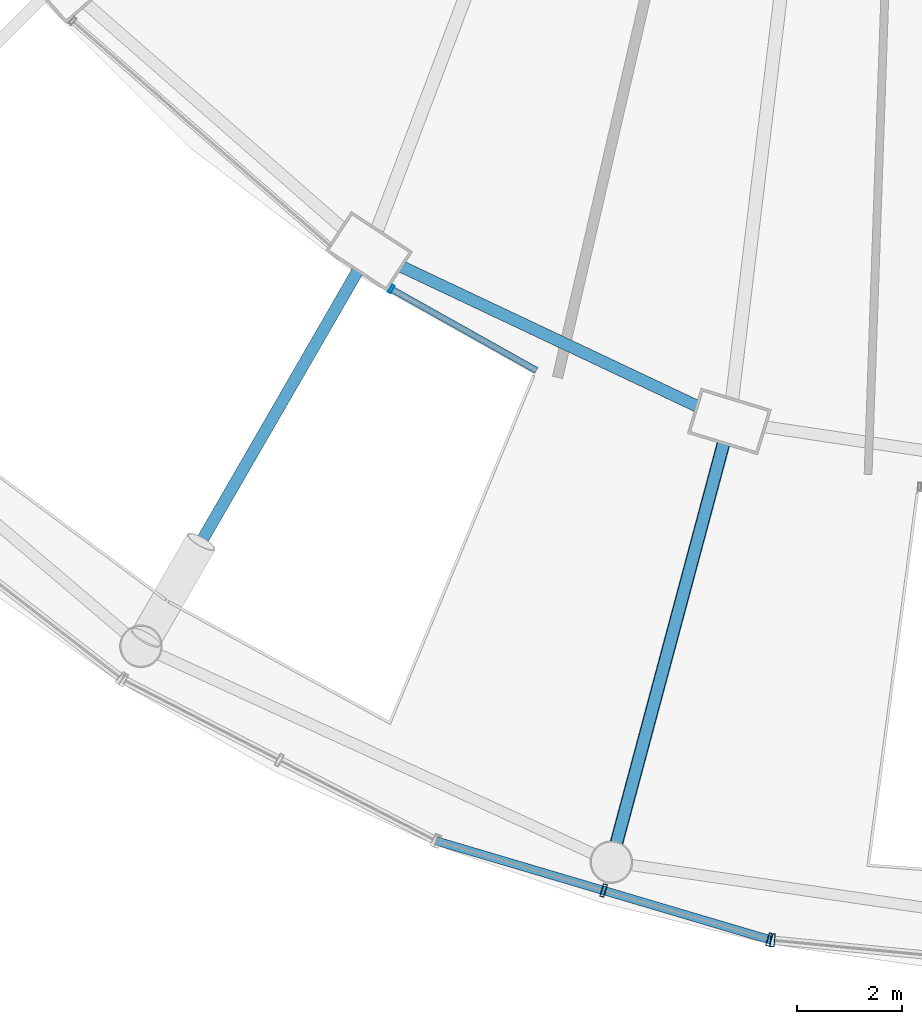
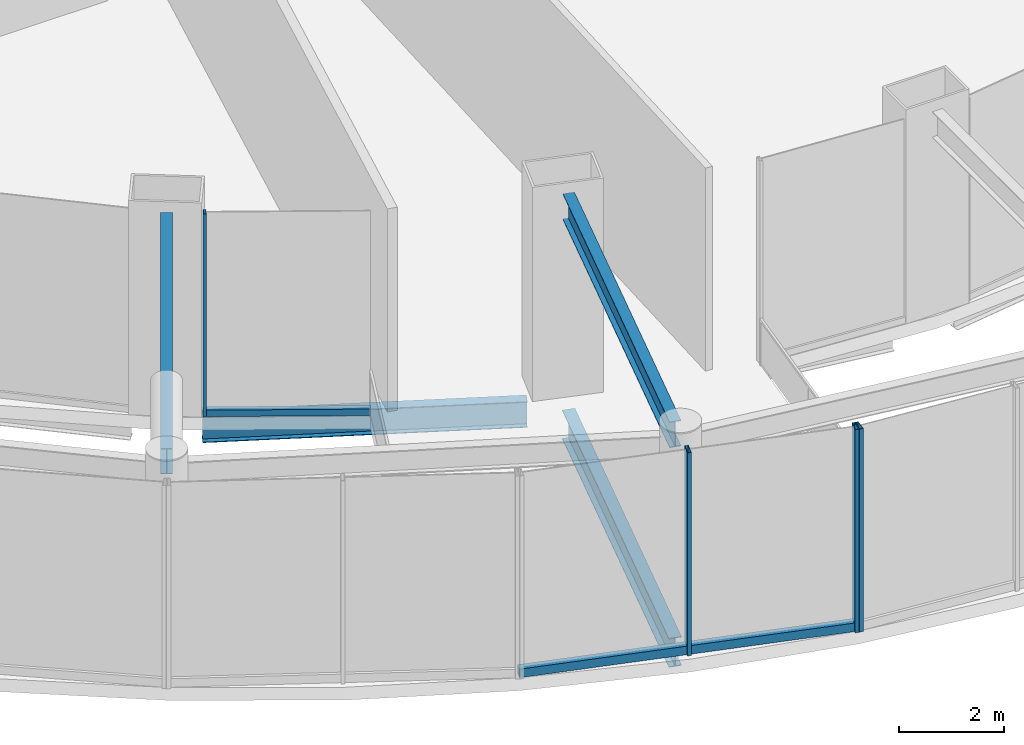
# One storey, part 4 of 52: 6 members, 4 beams, 3 elements without a shape of their own.
"""IFC4 building model written with IfcOpenShell, lengths in metres."""

from ifc_helpers import new_model, si_unit, direction, frame, origin, origin_2d, place, context, subcontext, project, spatial, hollow_rectangle, i_section, extrude, material, layer, layer_set, material_profile, profile_set, type_object, element, aggregate, save


model = new_model("IFC4")

# Units and contexts
model_context = context("Model", 3, precision=1e-05, world=origin(), true_north=direction((0.0, 1.0)))
body_context = subcontext(model_context, "Body", "Model", "MODEL_VIEW")
ifc_project = project(units=[si_unit("LENGTHUNIT", "METRE"), si_unit("AREAUNIT", "SQUARE_METRE"), si_unit("VOLUMEUNIT", "CUBIC_METRE"), si_unit("PLANEANGLEUNIT", "RADIAN"), si_unit("MASSUNIT", "GRAM", prefix="KILO")], contexts=[model_context])

# Site, building, storey
site_placement = place(None, origin())
site = spatial("IfcSite", under=ifc_project, at=site_placement, CompositionType="ELEMENT")
building_placement = place(site_placement, origin())
building = spatial("IfcBuilding", under=site, at=building_placement, Name="Nagisa Residences", CompositionType="ELEMENT")
storey_placement = place(building_placement, frame((0.0, 0.0, 22.0)))
storey = spatial("IfcBuildingStorey", under=building, at=storey_placement, Name="L04", CompositionType="ELEMENT", Elevation=22.0)

# Beams
ifc_material_1 = material(Name="Steel ASTM A572 Gr 50", Category="steel")
ifc_material_profile_1 = material_profile(ifc_material_1, i_section(OverallWidth=0.2529296875, OverallDepth=0.677978515625, WebThickness=0.01171875, FlangeThickness=0.016357421875, at=origin_2d()), Name="W690x125")
ifc_profile_set_1 = profile_set([ifc_material_profile_1], Name="Steel ASTM A572 Gr 50")
beam_type_1 = type_object("IfcBeamType", Name="Atrium bridge beam W690x125", PredefinedType="BEAM", material=ifc_profile_set_1)
beam_1_placement = place(storey_placement, frame((-3.8876953125, -31.80810546875, -0.638916015625), z_axis=(-0.258809356376, -0.965928422324, 0.0), x_axis=(0.965928422324, -0.258809356376, 0.0)))
element("IfcBeam", 1, at=beam_1_placement, inside=storey, type_object=beam_type_1, Name="beam:L04:br18", PredefinedType="BEAM", context=body_context, shape_type="SweptSolid", body=[
    extrude(i_section(OverallWidth=0.2529296875, OverallDepth=0.677978515625, WebThickness=0.01171875, FlangeThickness=0.016357421875, at=origin_2d()), origin(), (0.0, 0.0, 1.0), 7.88330078125),
])
ifc_material_2 = material(Name="Steel ASTM A572 Gr 50", Category="steel")
ifc_material_profile_2 = material_profile(ifc_material_2, i_section(OverallWidth=0.22802734375, OverallDepth=0.60302734375, WebThickness=0.010498046875, FlangeThickness=0.014892578125, at=origin_2d()), Name="W610x101")
ifc_profile_set_2 = profile_set([ifc_material_profile_2], Name="Steel ASTM A572 Gr 50")
beam_type_2 = type_object("IfcBeamType", Name="Atrium roof beam W610x101", PredefinedType="BEAM", material=ifc_profile_set_2)
beam_2_placement = place(storey_placement, frame((-10.865478515625, -28.518798828125, 4.448486328125), z_axis=(-0.499979831865, -0.86603704755, 0.0), x_axis=(0.86603704755, -0.499979831865, 0.0)))
element("IfcBeam", 2, at=beam_2_placement, inside=storey, type_object=beam_type_2, Name="beam:L04:rer17", PredefinedType="BEAM", context=body_context, shape_type="SweptSolid", body=[
    extrude(i_section(OverallWidth=0.22802734375, OverallDepth=0.60302734375, WebThickness=0.010498046875, FlangeThickness=0.014892578125, at=origin_2d()), origin(), (0.0, 0.0, 1.0), 7.882568359375),
])
beam_3_placement = place(storey_placement, frame((-3.8876953125, -31.80810546875, 4.448486328125), z_axis=(-0.258809356376, -0.965928422324, 0.0), x_axis=(0.965928422324, -0.258809356376, 0.0)))
element("IfcBeam", 3, at=beam_3_placement, inside=storey, type_object=beam_type_2, Name="beam:L04:rer18", PredefinedType="BEAM", context=body_context, shape_type="SweptSolid", body=[
    extrude(i_section(OverallWidth=0.22802734375, OverallDepth=0.60302734375, WebThickness=0.010498046875, FlangeThickness=0.014892578125, at=origin_2d()), origin(), (0.0, 0.0, 1.0), 7.88330078125),
])

# Curtain wall, members
ifc_material_3 = material(Name="Stainless steel curtain wall system", Category="steel")
ifc_layer_1 = layer(ifc_material_3, 0.159912109375)
ifc_layer_set_1 = layer_set([ifc_layer_1], Name="CW3 CURTAIN WALL")
curtain_wall_type_1 = type_object("IfcCurtainWallType", Name="CW3 CURTAIN WALL", PredefinedType="NOTDEFINED", material=ifc_layer_set_1)
curtain_wall_1_placement = place(storey_placement, origin())
curtain_wall_1 = element("IfcCurtainWall", 4, at=curtain_wall_1_placement, inside=storey, type_object=curtain_wall_type_1, Name="cw:CW3:L04:25", PredefinedType="NOTDEFINED")
ifc_material_4 = material(Name="Stainless steel", Category="steel")
ifc_material_profile_3 = material_profile(ifc_material_4, hollow_rectangle(XDim=0.25, YDim=0.080078125, WallThickness=0.008056640625, at=origin_2d()), Name="CW3 MULLION 250x80")
ifc_profile_set_3 = profile_set([ifc_material_profile_3], Name="Stainless steel")
member_type_1 = type_object("IfcMemberType", Name="CW3 MULLION 250x80", PredefinedType="MULLION", material=ifc_profile_set_3)
member_1_placement = place(storey_placement, frame((-6.175048828125, -40.337890625, 0.0), z_axis=(0.0, 0.0, 1.0), x_axis=(0.283963226669, 0.958835171393, 0.0)))
member_1 = element("IfcMember", 5, at=member_1_placement, type_object=member_type_1, Name="CW3 mullion", PredefinedType="MULLION", context=body_context, shape_type="SweptSolid", body=[
    extrude(hollow_rectangle(XDim=0.25, YDim=0.080078125, WallThickness=0.008056640625, at=origin_2d()), origin(), (0.0, 0.0, 1.0), 4.739990234375),
])
member_2_placement = place(storey_placement, frame((-3.01416015625, -41.27392578125, 0.0), z_axis=(0.0, 0.0, 1.0), x_axis=(0.283963226669, 0.958835171393, 0.0)))
member_2 = element("IfcMember", 6, at=member_2_placement, type_object=member_type_1, Name="CW3 mullion", PredefinedType="MULLION", context=body_context, shape_type="SweptSolid", body=[
    extrude(hollow_rectangle(XDim=0.25, YDim=0.080078125, WallThickness=0.008056640625, at=origin_2d()), origin(), (0.0, 0.0, 1.0), 4.739990234375),
])

# Curtain wall, member
curtain_wall_2_placement = place(storey_placement, origin())
curtain_wall_2 = element("IfcCurtainWall", 7, at=curtain_wall_2_placement, inside=storey, type_object=curtain_wall_type_1, Name="cw:CW3:L04:26", PredefinedType="NOTDEFINED")
member_3_placement = place(storey_placement, frame((-2.951171875, -41.2861328125, 0.0), z_axis=(0.0, 0.0, 1.0), x_axis=(0.096249055035, 0.995357282289, 0.0)))
member_3 = element("IfcMember", 8, at=member_3_placement, type_object=member_type_1, Name="CW3 mullion", PredefinedType="MULLION", context=body_context, shape_type="SweptSolid", body=[
    extrude(hollow_rectangle(XDim=0.25, YDim=0.080078125, WallThickness=0.008056640625, at=origin_2d()), origin(), (0.0, 0.0, 1.0), 4.739990234375),
])
aggregate(curtain_wall_2, [member_3])

# Member
ifc_material_5 = material(Name="Stainless steel", Category="steel")
ifc_material_profile_4 = material_profile(ifc_material_5, hollow_rectangle(XDim=0.159912109375, YDim=0.199951171875, WallThickness=0.008056640625, at=origin_2d()), Name="CW3 TRANSOM 160x200")
ifc_profile_set_4 = profile_set([ifc_material_profile_4], Name="Stainless steel")
member_type_2 = type_object("IfcMemberType", Name="CW3 TRANSOM 160x200", PredefinedType="USERDEFINED", material=ifc_profile_set_4)
member_4_placement = place(storey_placement, frame((-9.3740234375, -39.390380859375, 0.10009765625), z_axis=(0.958838335071, -0.283952543919, 0.0), x_axis=(0.283952543919, 0.958838335071, 0.0)))
member_4 = element("IfcMember", 9, at=member_4_placement, type_object=member_type_2, Name="CW3 transom", ObjectType="TRANSOM", PredefinedType="USERDEFINED", context=body_context, shape_type="SweptSolid", body=[
    extrude(hollow_rectangle(XDim=0.159912109375, YDim=0.199951171875, WallThickness=0.008056640625, at=origin_2d()), origin(), (0.0, 0.0, 1.0), 6.6728515625),
])

aggregate(curtain_wall_1, [member_1, member_2, member_4])

# Curtain wall, members
ifc_material_6 = material(Name="Stainless steel curtain wall system", Category="steel")
ifc_layer_2 = layer(ifc_material_6, 0.159912109375)
ifc_layer_set_2 = layer_set([ifc_layer_2], Name="CW6 CURTAIN WALL")
curtain_wall_type_2 = type_object("IfcCurtainWallType", Name="CW6 CURTAIN WALL", PredefinedType="NOTDEFINED", material=ifc_layer_set_2)
curtain_wall_3_placement = place(storey_placement, origin())
curtain_wall_3 = element("IfcCurtainWall", 10, at=curtain_wall_3_placement, inside=storey, type_object=curtain_wall_type_2, Name="cw:CW6:L04:32", PredefinedType="NOTDEFINED")
ifc_material_7 = material(Name="Stainless steel", Category="steel")
ifc_material_profile_5 = material_profile(ifc_material_7, hollow_rectangle(XDim=0.159912109375, YDim=0.06005859375, WallThickness=0.006103515625, at=origin_2d()), Name="CW6 MULLION 160x60")
ifc_profile_set_5 = profile_set([ifc_material_profile_5], Name="Stainless steel")
member_type_3 = type_object("IfcMemberType", Name="CW6 MULLION 160x60", PredefinedType="MULLION", material=ifc_profile_set_5)
member_5_placement = place(storey_placement, frame((-10.22412109375, -28.8662109375, 0.0), z_axis=(0.0, 0.0, 1.0), x_axis=(0.489376918501, 0.872072377523, 0.0)))
member_5 = element("IfcMember", 11, at=member_5_placement, type_object=member_type_3, Name="CW6 mullion", PredefinedType="MULLION", context=body_context, shape_type="SweptSolid", body=[
    extrude(hollow_rectangle(XDim=0.159912109375, YDim=0.06005859375, WallThickness=0.006103515625, at=origin_2d()), origin(), (0.0, 0.0, 1.0), 4.739990234375),
])
ifc_material_8 = material(Name="Stainless steel", Category="steel")
ifc_material_profile_6 = material_profile(ifc_material_8, hollow_rectangle(XDim=0.1201171875, YDim=0.14990234375, WallThickness=0.008056640625, at=origin_2d()), Name="CW6 TRANSOM 120x150")
ifc_profile_set_6 = profile_set([ifc_material_profile_6], Name="Stainless steel")
member_type_4 = type_object("IfcMemberType", Name="CW6 TRANSOM 120x150", PredefinedType="USERDEFINED", material=ifc_profile_set_6)
member_6_placement = place(storey_placement, frame((-10.25048828125, -28.8515625, 0.074951171875), z_axis=(0.872070011948, -0.489381133946, 0.0), x_axis=(0.489381133946, 0.872070011948, 0.0)))
member_6 = element("IfcMember", 12, at=member_6_placement, type_object=member_type_4, Name="CW6 transom", ObjectType="TRANSOM", PredefinedType="USERDEFINED", context=body_context, shape_type="SweptSolid", body=[
    extrude(hollow_rectangle(XDim=0.1201171875, YDim=0.14990234375, WallThickness=0.008056640625, at=origin_2d()), origin(), (0.0, 0.0, 1.0), 3.201171875),
])
aggregate(curtain_wall_3, [member_5, member_6])

# Beam
ifc_material_9 = material(Name="Steel ASTM A572 Gr 50", Category="steel")
ifc_material_profile_7 = material_profile(ifc_material_9, i_section(OverallWidth=0.22802734375, OverallDepth=0.60302734375, WebThickness=0.010498046875, FlangeThickness=0.014892578125, at=origin_2d()), Name="W610x101")
ifc_profile_set_7 = profile_set([ifc_material_profile_7], Name="Steel ASTM A572 Gr 50")
beam_type_3 = type_object("IfcBeamType", Name="Perimeter ring beam W610x101", PredefinedType="BEAM", material=ifc_profile_set_7)
beam_4_placement = place(storey_placement, frame((-10.02880859375, -28.439208984375, -0.6015625), z_axis=(0.904208275867, -0.427091786216, 0.0), x_axis=(0.427091786216, 0.904208275867, 0.0)))
element("IfcBeam", 13, at=beam_4_placement, inside=storey, type_object=beam_type_3, Name="beam:L04:pb17", PredefinedType="BEAM", context=body_context, shape_type="SweptSolid", body=[
    extrude(i_section(OverallWidth=0.22802734375, OverallDepth=0.60302734375, WebThickness=0.010498046875, FlangeThickness=0.014892578125, at=origin_2d()), origin(), (0.0, 0.0, 1.0), 6.227294921875),
])

save(model, "model.ifc")
